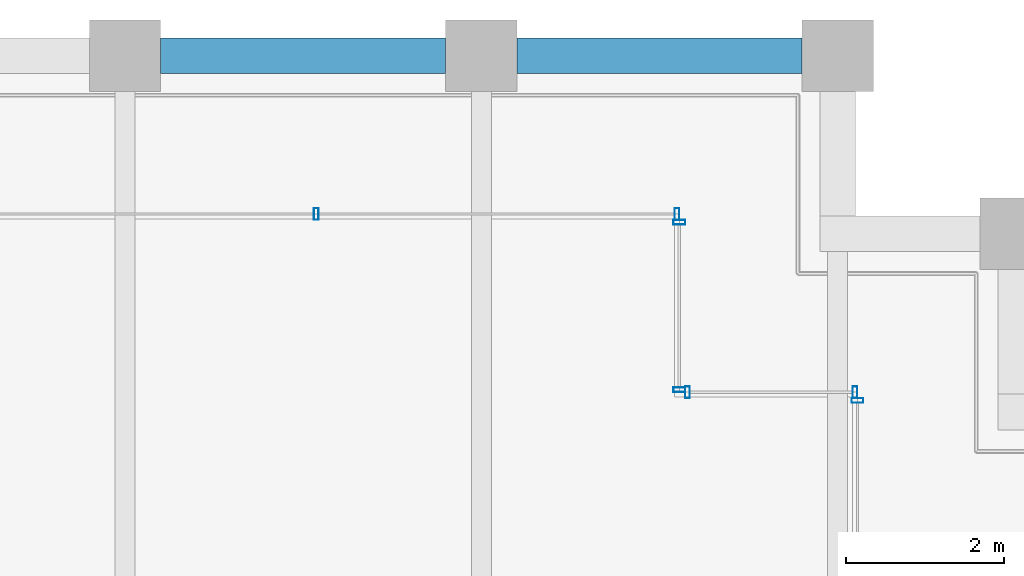
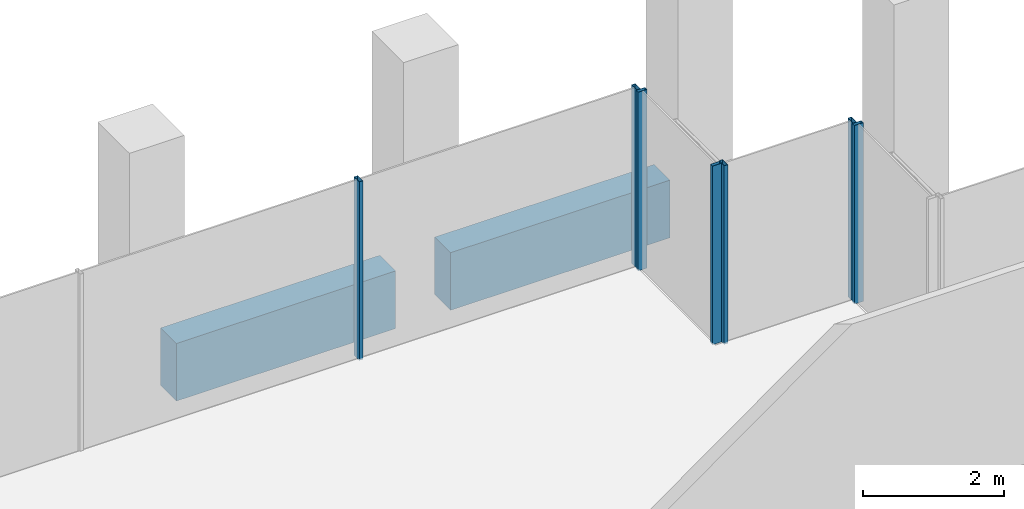
# One storey, part 26 of 40: 7 members, 2 beams, 4 elements without a shape of their own.
"""IFC4 building model written with IfcOpenShell, lengths in metres."""

from ifc_helpers import new_model, si_unit, direction, frame, origin, origin_2d, place, context, subcontext, project, spatial, rectangle, hollow_rectangle, extrude, material, material_profile, profile_set, type_object, element, aggregate, save


model = new_model("IFC4")

# Units and contexts
model_context = context("Model", 3, precision=1e-05, world=origin(), true_north=direction((0.0, 1.0)))
body_context = subcontext(model_context, "Body", "Model", "MODEL_VIEW")
ifc_project = project(units=[si_unit("LENGTHUNIT", "METRE"), si_unit("AREAUNIT", "SQUARE_METRE"), si_unit("VOLUMEUNIT", "CUBIC_METRE"), si_unit("PLANEANGLEUNIT", "RADIAN"), si_unit("MASSUNIT", "GRAM", prefix="KILO")], contexts=[model_context])

# Site, building, storey
site_placement = place(None, origin())
site = spatial("IfcSite", under=ifc_project, at=site_placement, CompositionType="ELEMENT")
building_placement = place(site_placement, origin())
building = spatial("IfcBuilding", under=site, at=building_placement, Name="Altepetl Exchange Towers", CompositionType="ELEMENT")
storey_placement = place(building_placement, frame((0.0, 0.0, 176.199951171875)))
storey = spatial("IfcBuildingStorey", under=building, at=storey_placement, Name="L44", CompositionType="ELEMENT", Elevation=176.199951171875)

# Curtain wall, member
ifc_material_1 = material(Name="Aluminium 6063-T6 glazing", Category="aluminium")
curtain_wall_type = type_object("IfcCurtainWallType", Name="Loggia glazing system", PredefinedType="NOTDEFINED", material=ifc_material_1)
curtain_wall_1_placement = place(storey_placement, origin())
curtain_wall_1 = element("IfcCurtainWall", 1, at=curtain_wall_1_placement, inside=storey, type_object=curtain_wall_type, Name="CW1 run", PredefinedType="NOTDEFINED")
ifc_material_2 = material(Name="Aluminium 6063-T6", Category="aluminium")
ifc_material_profile_1 = material_profile(ifc_material_2, hollow_rectangle(XDim=0.06005859375, YDim=0.14990234375, WallThickness=0.0029296875, at=origin_2d()), Name="Mullion 60x150 aluminium")
ifc_profile_set_1 = profile_set([ifc_material_profile_1], Name="Aluminium 6063-T6")
member_type = type_object("IfcMemberType", Name="Mullion 60x150 aluminium", PredefinedType="MULLION", material=ifc_profile_set_1)
member_1_placement = place(storey_placement, frame((67.75, 67.64501953125, 0.0), z_axis=(0.0, 0.0, 1.0), x_axis=(0.0, 1.0, 0.0)))
member_1 = element("IfcMember", 2, at=member_1_placement, type_object=member_type, Name="MU1 mullion", PredefinedType="MULLION", context=body_context, shape_type="SweptSolid", body=[
    extrude(hollow_rectangle(XDim=0.06005859375, YDim=0.14990234375, WallThickness=0.0029296875, at=origin_2d()), origin(), (0.0, 0.0, 1.0), 3.10009765625),
])
aggregate(curtain_wall_1, [member_1])

# Curtain wall, members
curtain_wall_2_placement = place(storey_placement, origin())
curtain_wall_2 = element("IfcCurtainWall", 3, at=curtain_wall_2_placement, inside=storey, type_object=curtain_wall_type, Name="CW1 run", PredefinedType="NOTDEFINED")
member_2_placement = place(storey_placement, frame((67.719970703125, 67.75, 0.0), z_axis=(0.0, 0.0, 1.0), x_axis=(-1.0, 0.0, 0.0)))
member_2 = element("IfcMember", 4, at=member_2_placement, type_object=member_type, Name="MU1 mullion", PredefinedType="MULLION", context=body_context, shape_type="SweptSolid", body=[
    extrude(hollow_rectangle(XDim=0.06005859375, YDim=0.14990234375, WallThickness=0.0029296875, at=origin_2d()), origin(), (0.0, 0.0, 1.0), 3.10009765625),
])
member_3_placement = place(storey_placement, frame((65.60498046875, 67.75, 0.0), z_axis=(0.0, 0.0, 1.0), x_axis=(-1.0, 0.0, 0.0)))
member_3 = element("IfcMember", 5, at=member_3_placement, type_object=member_type, Name="MU1 mullion", PredefinedType="MULLION", context=body_context, shape_type="SweptSolid", body=[
    extrude(hollow_rectangle(XDim=0.06005859375, YDim=0.14990234375, WallThickness=0.0029296875, at=origin_2d()), origin(), (0.0, 0.0, 1.0), 3.10009765625),
])
aggregate(curtain_wall_2, [member_2, member_3])

curtain_wall_3_placement = place(storey_placement, origin())
curtain_wall_3 = element("IfcCurtainWall", 6, at=curtain_wall_3_placement, inside=storey, type_object=curtain_wall_type, Name="CW1 run", PredefinedType="NOTDEFINED")
member_4_placement = place(storey_placement, frame((65.5, 67.780029296875, 0.0), z_axis=(0.0, 0.0, 1.0), x_axis=(0.0, 1.0, 0.0)))
member_4 = element("IfcMember", 7, at=member_4_placement, type_object=member_type, Name="MU1 mullion", PredefinedType="MULLION", context=body_context, shape_type="SweptSolid", body=[
    extrude(hollow_rectangle(XDim=0.06005859375, YDim=0.14990234375, WallThickness=0.0029296875, at=origin_2d()), origin(), (0.0, 0.0, 1.0), 3.10009765625),
])
member_5_placement = place(storey_placement, frame((65.5, 69.89501953125, 0.0), z_axis=(0.0, 0.0, 1.0), x_axis=(0.0, 1.0, 0.0)))
member_5 = element("IfcMember", 8, at=member_5_placement, type_object=member_type, Name="MU1 mullion", PredefinedType="MULLION", context=body_context, shape_type="SweptSolid", body=[
    extrude(hollow_rectangle(XDim=0.06005859375, YDim=0.14990234375, WallThickness=0.0029296875, at=origin_2d()), origin(), (0.0, 0.0, 1.0), 3.10009765625),
])
aggregate(curtain_wall_3, [member_4, member_5])

curtain_wall_4_placement = place(storey_placement, origin())
curtain_wall_4 = element("IfcCurtainWall", 9, at=curtain_wall_4_placement, inside=storey, type_object=curtain_wall_type, Name="CW1 run", PredefinedType="NOTDEFINED")
member_6_placement = place(storey_placement, frame((65.469970703125, 70.0, 0.0), z_axis=(0.0, 0.0, 1.0), x_axis=(-1.0, 0.0, 0.0)))
member_6 = element("IfcMember", 10, at=member_6_placement, type_object=member_type, Name="MU1 mullion", PredefinedType="MULLION", context=body_context, shape_type="SweptSolid", body=[
    extrude(hollow_rectangle(XDim=0.06005859375, YDim=0.14990234375, WallThickness=0.0029296875, at=origin_2d()), origin(), (0.0, 0.0, 1.0), 3.10009765625),
])
member_7_placement = place(storey_placement, frame((60.9150390625, 70.0, 0.0), z_axis=(0.0, 0.0, 1.0), x_axis=(-1.0, 0.0, 0.0)))
member_7 = element("IfcMember", 11, at=member_7_placement, type_object=member_type, Name="MU1 mullion", PredefinedType="MULLION", context=body_context, shape_type="SweptSolid", body=[
    extrude(hollow_rectangle(XDim=0.06005859375, YDim=0.14990234375, WallThickness=0.0029296875, at=origin_2d()), origin(), (0.0, 0.0, 1.0), 3.10009765625),
])
aggregate(curtain_wall_4, [member_6, member_7])

# Beams
ifc_material_3 = material(Name="Concrete C50/60 precast with cantera rosa facing", Category="concrete")
ifc_material_profile_2 = material_profile(ifc_material_3, rectangle(XDim=0.449951171875, YDim=1.0, at=origin_2d()), Name="450 x 1000")
ifc_profile_set_2 = profile_set([ifc_material_profile_2], Name="Concrete C50/60 precast with cantera rosa facing")
beam_type = type_object("IfcBeamType", Name="Spandrel beam 450x1000 cantera rosa", PredefinedType="SPANDREL", material=ifc_profile_set_2)
for number, where, z_axis, x_axis, name in (
    (12, (67.050048828125, 72.0, -0.64990234375), (-1.0, 0.0, 0.0), (0.0, -1.0, 0.0), "sp:A:L44:024"),
    (13, (62.550048828125, 72.0, -0.64990234375), (-1.0, 0.0, 0.0), (0.0, -1.0, 0.0), "sp:A:L44:025"),
):
    element("IfcBeam", number, at=place(storey_placement, frame(where, z_axis=z_axis, x_axis=x_axis)), inside=storey, type_object=beam_type, Name=name, PredefinedType="SPANDREL", context=body_context, shape_type="SweptSolid", body=[
        extrude(rectangle(XDim=0.449951171875, YDim=1.0, at=origin_2d()), origin(), (0.0, 0.0, 1.0), 3.60009765625),
    ])

save(model, "model.ifc")
